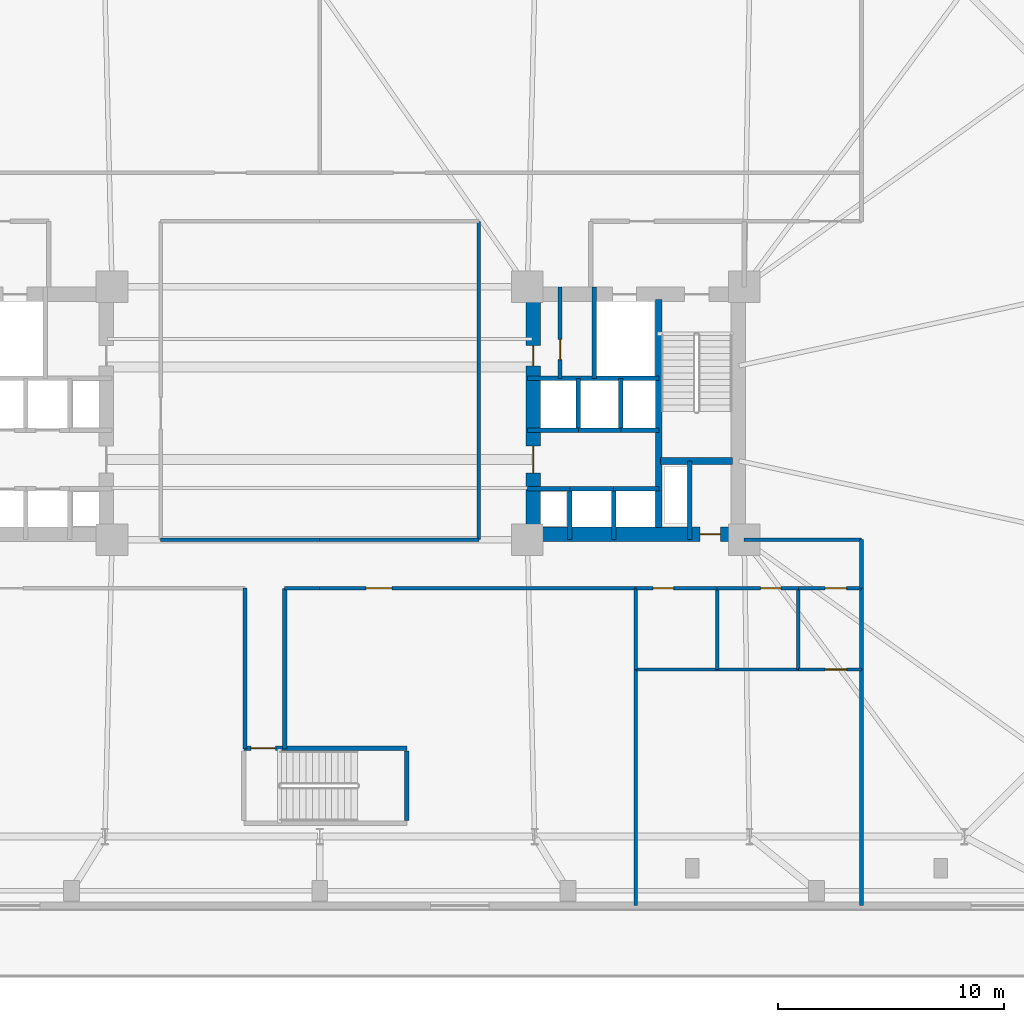
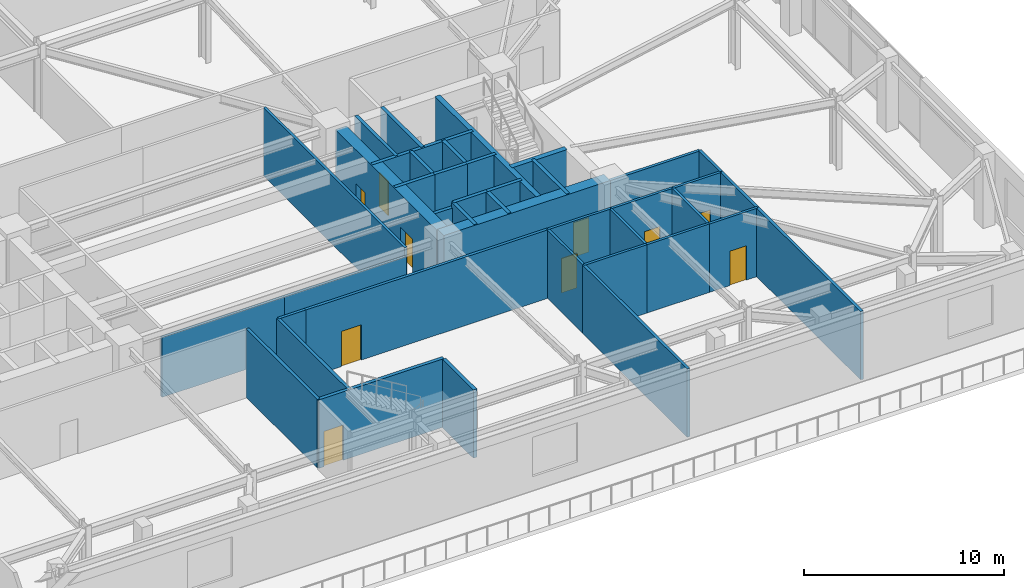
# One storey, part 14 of 21: 41 walls, 10 doors, 10 openings.
"""IFC4 building model written with IfcOpenShell, lengths in metres."""

from ifc_helpers import new_model, si_unit, direction, frame, frame_2d, origin, place, context, subcontext, project, spatial, rectangle, extrude, material, layer, layer_set, type_object, element, fill, save


model = new_model("IFC4")

# Units and contexts
model_context = context("Model", 3, precision=1e-05, world=origin(), true_north=direction((0.0, 1.0)))
body_context = subcontext(model_context, "Body", "Model", "MODEL_VIEW")
ifc_project = project(units=[si_unit("LENGTHUNIT", "METRE"), si_unit("AREAUNIT", "SQUARE_METRE"), si_unit("VOLUMEUNIT", "CUBIC_METRE"), si_unit("PLANEANGLEUNIT", "RADIAN"), si_unit("MASSUNIT", "GRAM", prefix="KILO")], contexts=[model_context])

# Site, building, storey
site_placement = place(None, origin())
site = spatial("IfcSite", under=ifc_project, at=site_placement, CompositionType="ELEMENT")
building_placement = place(site_placement, origin())
building = spatial("IfcBuilding", under=site, at=building_placement, Name="Qobustan Lattice House", CompositionType="ELEMENT")
storey_placement = place(building_placement, frame((0.0, 0.0, 13.5)))
storey = spatial("IfcBuildingStorey", under=building, at=storey_placement, Name="L03", CompositionType="ELEMENT", Elevation=13.5)

# Wall, opening, door
ifc_material_1 = material(Name="Concrete C60/75", Category="concrete")
ifc_layer_1 = layer(ifc_material_1, 0.639892578125)
ifc_layer_set_1 = layer_set([ifc_layer_1], Name="Concrete C60/75")
wall_type_1 = type_object("IfcWallType", Name="WAL-CORE-640", PredefinedType="SHEAR", material=ifc_layer_set_1)
wall_1_placement = place(storey_placement, frame((9.199951171875, -5.35009765625, 0.0), z_axis=(0.0, 0.0, 1.0), x_axis=(1.0, 0.0, 0.0)))
wall_1 = element("IfcWall", 1, at=wall_1_placement, inside=storey, type_object=wall_type_1, Name="L03 split-core shear wall CE-S", PredefinedType="SHEAR", context=body_context, shape_type="SweptSolid", body=[
    extrude(rectangle(XDim=9.60009765625, YDim=0.639892578125, at=frame_2d((4.800048828125, 0.0))), origin(), (0.0, 0.0, 1.0), 4.169921875),
])
opening_1_placement = place(wall_1_placement, frame((7.64990234375, 0.0, 0.0)))
opening_1 = element("IfcOpeningElement", 2, at=opening_1_placement, cuts=wall_1, Name="Opening RD-01", PredefinedType="OPENING", context=body_context, shape_type="SweptSolid", body=[
    extrude(rectangle(XDim=0.89990234375, YDim=2.10009765625, at=frame_2d((0.449951171875, 1.050048828125))), frame((0.0, 0.329833984375, 0.0), z_axis=(0.0, -1.0, 0.0), x_axis=(1.0, 0.0, 0.0)), (0.0, 0.0, 1.0), 0.659912109375),
])
ifc_material_2 = material(Name="Persian walnut timber and steel frame door", Category="steel")
door_type_1 = type_object("IfcDoorType", Name="DOR-RISER-FD-900x2100", OperationType="NOTDEFINED", PredefinedType="DOOR", material=ifc_material_2)
door_1_placement = place(opening_1_placement, origin())
door_1 = element("IfcDoor", 3, at=door_1_placement, inside=storey, type_object=door_type_1, Name="L03 core service riser access door E", OperationType="SINGLE_SWING_LEFT", OverallHeight=2.10009765625, OverallWidth=0.89990234375, PredefinedType="DOOR", context=body_context, shape_type="SweptSolid", body=[
    extrude(rectangle(XDim=0.89990234375, YDim=2.10009765625, at=frame_2d((0.449951171875, 1.050048828125))), frame((0.0, 0.02490234375, 0.0), z_axis=(0.0, -1.0, 0.0), x_axis=(1.0, 0.0, 0.0)), (0.0, 0.0, 1.0), 0.050048828125),
])
fill(opening_1, door_1)

# Wall, openings, doors
wall_2_placement = place(storey_placement, frame((9.449951171875, -5.050048828125, 0.0), z_axis=(0.0, 0.0, 1.0), x_axis=(0.0, 1.0, 0.0)))
wall_2 = element("IfcWall", 4, at=wall_2_placement, inside=storey, type_object=wall_type_1, Name="L03 split-core shear wall CE-W", PredefinedType="SHEAR", context=body_context, shape_type="SweptSolid", body=[
    extrude(rectangle(XDim=10.10009765625, YDim=0.639892578125, at=frame_2d((5.050048828125, 0.0))), origin(), (0.0, 0.0, 1.0), 4.169921875),
])
opening_2_placement = place(wall_2_placement, frame((7.14990234375, 0.0, 0.0)))
opening_2 = element("IfcOpeningElement", 5, at=opening_2_placement, cuts=wall_2, Name="Opening RD-01", PredefinedType="OPENING", context=body_context, shape_type="SweptSolid", body=[
    extrude(rectangle(XDim=0.89990234375, YDim=2.10009765625, at=frame_2d((0.449951171875, 1.050048828125))), frame((0.0, 0.329833984375, 0.0), z_axis=(0.0, -1.0, 0.0), x_axis=(1.0, 0.0, 0.0)), (0.0, 0.0, 1.0), 0.659912109375),
])
opening_3_placement = place(wall_2_placement, frame((2.39990234375, 0.0, 0.0)))
opening_3 = element("IfcOpeningElement", 6, at=opening_3_placement, cuts=wall_2, Name="Opening FD-01", PredefinedType="OPENING", context=body_context, shape_type="SweptSolid", body=[
    extrude(rectangle(XDim=1.199951171875, YDim=2.14990234375, at=frame_2d((0.60009765625, 1.074951171875))), frame((0.0, 0.329833984375, 0.0), z_axis=(0.0, -1.0, 0.0), x_axis=(1.0, 0.0, 0.0)), (0.0, 0.0, 1.0), 0.659912109375),
])
ifc_material_3 = material(Name="Persian walnut timber and steel frame door", Category="steel")
door_type_2 = type_object("IfcDoorType", Name="DOR-LOBBY-FD-1200x2150", OperationType="NOTDEFINED", PredefinedType="DOOR", material=ifc_material_3)
door_2_placement = place(opening_3_placement, origin())
door_2 = element("IfcDoor", 7, at=door_2_placement, inside=storey, type_object=door_type_2, Name="L03 East passenger lift lobby fire door", OperationType="SINGLE_SWING_LEFT", OverallHeight=2.14990234375, OverallWidth=1.199951171875, PredefinedType="DOOR", context=body_context, shape_type="SweptSolid", body=[
    extrude(rectangle(XDim=1.199951171875, YDim=2.14990234375, at=frame_2d((0.60009765625, 1.074951171875))), frame((0.0, 0.02490234375, 0.0), z_axis=(0.0, -1.0, 0.0), x_axis=(1.0, 0.0, 0.0)), (0.0, 0.0, 1.0), 0.050048828125),
])
fill(opening_3, door_2)
door_3_placement = place(opening_2_placement, origin())
door_3 = element("IfcDoor", 8, at=door_3_placement, inside=storey, type_object=door_type_1, Name="L03 Print and mail closet fire door", OperationType="SINGLE_SWING_RIGHT", OverallHeight=2.10009765625, OverallWidth=0.89990234375, PredefinedType="DOOR", context=body_context, shape_type="SweptSolid", body=[
    extrude(rectangle(XDim=0.89990234375, YDim=2.10009765625, at=frame_2d((0.449951171875, 1.050048828125))), frame((0.0, 0.02490234375, 0.0), z_axis=(0.0, -1.0, 0.0), x_axis=(1.0, 0.0, 0.0)), (0.0, 0.0, 1.0), 0.050048828125),
])
fill(opening_2, door_3)

# Walls
ifc_material_4 = material(Name="Concrete C50/60", Category="concrete")
ifc_layer_2 = layer(ifc_material_4, 0.280029296875)
ifc_layer_set_2 = layer_set([ifc_layer_2], Name="Concrete C50/60")
wall_type_2 = type_object("IfcWallType", Name="WAL-CORE-SPINE-280", PredefinedType="SHEAR", material=ifc_layer_set_2)
wall_3_placement = place(storey_placement, frame((15.02001953125, -5.050048828125, 0.0), z_axis=(0.0, 0.0, 1.0), x_axis=(0.0, 1.0, 0.0)))
element("IfcWall", 9, at=wall_3_placement, inside=storey, type_object=wall_type_2, Name="L03 split-core shear wall CE-M", PredefinedType="SHEAR", context=body_context, shape_type="SweptSolid", body=[
    extrude(rectangle(XDim=10.10009765625, YDim=0.300048828125, at=frame_2d((5.050048828125, 0.0))), origin(), (0.0, 0.0, 1.0), 4.169921875),
])
wall_4_placement = place(storey_placement, frame((15.10009765625, -2.110107421875, 0.0), z_axis=(0.0, 0.0, 1.0), x_axis=(1.0, 0.0, 0.0)))
element("IfcWall", 10, at=wall_4_placement, inside=storey, type_object=wall_type_2, Name="L03 split-core shear wall CE-ST", PredefinedType="SHEAR", context=body_context, shape_type="SweptSolid", body=[
    extrude(rectangle(XDim=3.179931640625, YDim=0.300048828125, at=frame_2d((1.58984375, 0.0))), origin(), (0.0, 0.0, 1.0), 4.169921875),
])

# Wall, opening, door
ifc_material_5 = material(Name="Gypsum fireboard acoustic partition", Category="gypsum")
ifc_layer_3 = layer(ifc_material_5, 0.179931640625)
ifc_layer_set_3 = layer_set([ifc_layer_3], Name="Gypsum fireboard acoustic partition")
wall_type_3 = type_object("IfcWallType", Name="WAL-FIRE-180", PredefinedType="PARTITIONING", material=ifc_layer_set_3)
wall_5_placement = place(storey_placement, frame((10.64990234375, 1.550048828125, 0.0), z_axis=(0.0, 0.0, 1.0), x_axis=(0.0, 1.0, 0.0)))
wall_5 = element("IfcWall", 11, at=wall_5_placement, inside=storey, type_object=wall_type_3, Name="L03 interior partition 23", PredefinedType="PARTITIONING", context=body_context, shape_type="SweptSolid", body=[
    extrude(rectangle(XDim=4.050048828125, YDim=0.179931640625, at=frame_2d((2.02490234375, 0.0))), origin(), (0.0, 0.0, 1.0), 4.169921875),
])
opening_4_placement = place(wall_5_placement, frame((0.828857421875, 0.0, 0.0)))
opening_4 = element("IfcOpeningElement", 12, at=opening_4_placement, cuts=wall_5, Name="Opening RD-01", PredefinedType="OPENING", context=body_context, shape_type="SweptSolid", body=[
    extrude(rectangle(XDim=0.89990234375, YDim=2.10009765625, at=frame_2d((0.449951171875, 1.050048828125))), frame((0.0, 0.099853515625, 0.0), z_axis=(0.0, -1.0, 0.0), x_axis=(1.0, 0.0, 0.0)), (0.0, 0.0, 1.0), 0.199951171875),
])
door_4_placement = place(opening_4_placement, origin())
door_4 = element("IfcDoor", 13, at=door_4_placement, inside=storey, type_object=door_type_1, Name="L03 Print and mail closet to Core utility store door", OperationType="SINGLE_SWING_LEFT", OverallHeight=2.10009765625, OverallWidth=0.89990234375, PredefinedType="DOOR", context=body_context, shape_type="SweptSolid", body=[
    extrude(rectangle(XDim=0.89990234375, YDim=2.10009765625, at=frame_2d((0.449951171875, 1.050048828125))), frame((0.0, 0.02490234375, 0.0), z_axis=(0.0, -1.0, 0.0), x_axis=(1.0, 0.0, 0.0)), (0.0, 0.0, 1.0), 0.050048828125),
])
fill(opening_4, door_4)

# Walls
for number, where, z_axis, x_axis, name in (
    (14, (-3.320068359375, -14.860107421875, 0.0), (0.0, 0.0, 1.0), (0.0, 1.0, 0.0), "L03 interior partition 58"),
    (15, (-1.550048828125, -7.75, 0.0), (0.0, 0.0, 1.0), (0.0, -1.0, 0.0), "L03 interior partition 59"),
):
    element("IfcWall", number, at=place(storey_placement, frame(where, z_axis=z_axis, x_axis=x_axis)), inside=storey, type_object=wall_type_3, Name=name, PredefinedType="PARTITIONING", context=body_context, shape_type="SweptSolid", body=[
        extrude(rectangle(XDim=7.110107421875, YDim=0.179931640625, at=frame_2d((3.55517578125, 0.0))), origin(), (0.0, 0.0, 1.0), 4.169921875),
    ])
ifc_material_6 = material(Name="Acoustic twin-stud gypsum partition", Category="gypsum")
ifc_layer_4 = layer(ifc_material_6, 0.14990234375)
ifc_layer_set_4 = layer_set([ifc_layer_4], Name="Acoustic twin-stud gypsum partition")
wall_type_4 = type_object("IfcWallType", Name="WAL-PART-150", PredefinedType="PARTITIONING", material=ifc_layer_set_4)
wall_6_placement = place(storey_placement, frame((-7.050048828125, -5.60009765625, 0.0), z_axis=(0.0, 0.0, 1.0), x_axis=(1.0, 0.0, 0.0)))
element("IfcWall", 16, at=wall_6_placement, inside=storey, type_object=wall_type_4, Name="L03 interior partition 48", PredefinedType="PARTITIONING", context=body_context, shape_type="SweptSolid", body=[
    extrude(rectangle(XDim=7.050048828125, YDim=0.14990234375, at=frame_2d((3.52490234375, 0.0))), origin(), (0.0, 0.0, 1.0), 3.655029296875),
])

# Wall, opening, door
wall_7_placement = place(storey_placement, frame((24.0, -7.75, 0.0), z_axis=(0.0, 0.0, 1.0), x_axis=(-1.0, 0.0, 0.0)))
wall_7 = element("IfcWall", 17, at=wall_7_placement, inside=storey, type_object=wall_type_4, Name="L03 interior partition 52", PredefinedType="PARTITIONING", context=body_context, shape_type="SweptSolid", body=[
    extrude(rectangle(XDim=2.800048828125, YDim=0.14990234375, at=frame_2d((1.39990234375, 0.0))), origin(), (0.0, 0.0, 1.0), 4.169921875),
])
opening_5_placement = place(wall_7_placement, frame((0.666259765625, 0.0, 0.0)))
opening_5 = element("IfcOpeningElement", 18, at=opening_5_placement, cuts=wall_7, Name="Opening ID-01", PredefinedType="OPENING", context=body_context, shape_type="SweptSolid", body=[
    extrude(rectangle(XDim=0.949951171875, YDim=2.10009765625, at=frame_2d((0.47509765625, 1.050048828125))), frame((0.0, 0.0849609375, 0.0), z_axis=(0.0, -1.0, 0.0), x_axis=(1.0, 0.0, 0.0)), (0.0, 0.0, 1.0), 0.169921875),
])
ifc_material_7 = material(Name="Persian walnut timber and steel frame door", Category="steel")
door_type_3 = type_object("IfcDoorType", Name="DOR-ROOM-950x2100", OperationType="NOTDEFINED", PredefinedType="DOOR", material=ifc_material_7)
door_5_placement = place(opening_5_placement, origin())
door_5 = element("IfcDoor", 19, at=door_5_placement, inside=storey, type_object=door_type_3, Name="L03 South-east podium corridor to Janitor supply store door", OperationType="SINGLE_SWING_RIGHT", OverallHeight=2.10009765625, OverallWidth=0.949951171875, PredefinedType="DOOR", context=body_context, shape_type="SweptSolid", body=[
    extrude(rectangle(XDim=0.949951171875, YDim=2.10009765625, at=frame_2d((0.47509765625, 1.050048828125))), frame((0.0, 0.02490234375, 0.0), z_axis=(0.0, -1.0, 0.0), x_axis=(1.0, 0.0, 0.0)), (0.0, 0.0, 1.0), 0.050048828125),
])
fill(opening_5, door_5)

# Walls
wall_8_placement = place(storey_placement, frame((0.0, -5.60009765625, 0.0), z_axis=(0.0, 0.0, 1.0), x_axis=(1.0, 0.0, 0.0)))
element("IfcWall", 20, at=wall_8_placement, inside=storey, type_object=wall_type_4, Name="L03 interior partition 53", PredefinedType="PARTITIONING", context=body_context, shape_type="SweptSolid", body=[
    extrude(rectangle(XDim=7.050048828125, YDim=0.14990234375, at=frame_2d((3.52490234375, 0.0))), origin(), (0.0, 0.0, 1.0), 3.655029296875),
])
wall_9_placement = place(storey_placement, frame((7.050048828125, -5.60009765625, 0.0), z_axis=(0.0, 0.0, 1.0), x_axis=(0.0, 1.0, 0.0)))
element("IfcWall", 21, at=wall_9_placement, inside=storey, type_object=wall_type_4, Name="L03 interior partition 57", PredefinedType="PARTITIONING", context=body_context, shape_type="SweptSolid", body=[
    extrude(rectangle(XDim=14.10009765625, YDim=0.14990234375, at=frame_2d((7.050048828125, 0.0))), origin(), (0.0, 0.0, 1.0), 4.169921875),
])

# Wall, opening, door
wall_10_placement = place(storey_placement, frame((24.0, -11.35009765625, 0.0), z_axis=(0.0, 0.0, 1.0), x_axis=(-1.0, 0.0, 0.0)))
wall_10 = element("IfcWall", 22, at=wall_10_placement, inside=storey, type_object=wall_type_4, Name="L03 interior partition 67", PredefinedType="PARTITIONING", context=body_context, shape_type="SweptSolid", body=[
    extrude(rectangle(XDim=2.800048828125, YDim=0.14990234375, at=frame_2d((1.39990234375, 0.0))), origin(), (0.0, 0.0, 1.0), 4.169921875),
])
opening_6_placement = place(wall_10_placement, frame((0.666259765625, 0.0, 0.0)))
opening_6 = element("IfcOpeningElement", 23, at=opening_6_placement, cuts=wall_10, Name="Opening ID-01", PredefinedType="OPENING", context=body_context, shape_type="SweptSolid", body=[
    extrude(rectangle(XDim=0.949951171875, YDim=2.10009765625, at=frame_2d((0.47509765625, 1.050048828125))), frame((0.0, 0.0849609375, 0.0), z_axis=(0.0, -1.0, 0.0), x_axis=(1.0, 0.0, 0.0)), (0.0, 0.0, 1.0), 0.169921875),
])
door_6_placement = place(opening_6_placement, origin())
door_6 = element("IfcDoor", 24, at=door_6_placement, inside=storey, type_object=door_type_3, Name="L03 Janitor supply store to Equipment and archive store door", OperationType="SINGLE_SWING_RIGHT", OverallHeight=2.10009765625, OverallWidth=0.949951171875, PredefinedType="DOOR", context=body_context, shape_type="SweptSolid", body=[
    extrude(rectangle(XDim=0.949951171875, YDim=2.10009765625, at=frame_2d((0.47509765625, 1.050048828125))), frame((0.0, 0.02490234375, 0.0), z_axis=(0.0, -1.0, 0.0), x_axis=(1.0, 0.0, 0.0)), (0.0, 0.0, 1.0), 0.050048828125),
])
fill(opening_6, door_6)

# Wall
ifc_material_8 = material(Name="High-mass acoustic twin-stud partition", Category="gypsum")
ifc_layer_5 = layer(ifc_material_8, 0.1650390625)
ifc_layer_set_5 = layer_set([ifc_layer_5], Name="High-mass acoustic twin-stud partition")
wall_type_5 = type_object("IfcWallType", Name="WAL-PART-165", PredefinedType="PARTITIONING", material=ifc_layer_set_5)
wall_11_placement = place(storey_placement, frame((0.0, -7.75, 0.0), z_axis=(0.0, 0.0, 1.0), x_axis=(-1.0, 0.0, 0.0)))
element("IfcWall", 25, at=wall_11_placement, inside=storey, type_object=wall_type_5, Name="L03 interior partition 45", PredefinedType="PARTITIONING", context=body_context, shape_type="SweptSolid", body=[
    extrude(rectangle(XDim=1.550048828125, YDim=0.1650390625, at=frame_2d((0.77490234375, 0.0))), origin(), (0.0, 0.0, 1.0), 4.169921875),
])

# Wall, opening, door
wall_12_placement = place(storey_placement, frame((14.0, -7.75, 0.0), z_axis=(0.0, 0.0, 1.0), x_axis=(-1.0, 0.0, 0.0)))
wall_12 = element("IfcWall", 26, at=wall_12_placement, inside=storey, type_object=wall_type_5, Name="L03 interior partition 49", PredefinedType="PARTITIONING", context=body_context, shape_type="SweptSolid", body=[
    extrude(rectangle(XDim=14.0, YDim=0.1650390625, at=frame_2d((7.0, 0.0))), origin(), (0.0, 0.0, 1.0), 4.169921875),
])
opening_7_placement = place(wall_12_placement, frame((10.808837890625, 0.0, 0.0)))
opening_7 = element("IfcOpeningElement", 27, at=opening_7_placement, cuts=wall_12, Name="Opening ID-03", PredefinedType="OPENING", context=body_context, shape_type="SweptSolid", body=[
    extrude(rectangle(XDim=1.14990234375, YDim=2.14990234375, at=frame_2d((0.574951171875, 1.074951171875))), frame((0.0, 0.092529296875, 0.0), z_axis=(0.0, -1.0, 0.0), x_axis=(1.0, 0.0, 0.0)), (0.0, 0.0, 1.0), 0.18505859375),
])
ifc_material_9 = material(Name="Persian walnut timber and steel frame door", Category="steel")
door_type_4 = type_object("IfcDoorType", Name="DOR-KITCH-1150x2150", OperationType="NOTDEFINED", PredefinedType="DOOR", material=ifc_material_9)
door_7_placement = place(opening_7_placement, origin())
door_7 = element("IfcDoor", 28, at=door_7_placement, inside=storey, type_object=door_type_4, Name="L03 South-east podium corridor to Garden cafe servery door", OperationType="SINGLE_SWING_LEFT", OverallHeight=2.14990234375, OverallWidth=1.14990234375, PredefinedType="DOOR", context=body_context, shape_type="SweptSolid", body=[
    extrude(rectangle(XDim=1.14990234375, YDim=2.14990234375, at=frame_2d((0.574951171875, 1.074951171875))), frame((0.0, 0.02490234375, 0.0), z_axis=(0.0, -1.0, 0.0), x_axis=(1.0, 0.0, 0.0)), (0.0, 0.0, 1.0), 0.050048828125),
])
fill(opening_7, door_7)

# Walls
wall_13_placement = place(storey_placement, frame((18.800048828125, -5.60009765625, 0.0), z_axis=(0.0, 0.0, 1.0), x_axis=(1.0, 0.0, 0.0)))
element("IfcWall", 29, at=wall_13_placement, inside=storey, type_object=wall_type_5, Name="L03 interior partition 54", PredefinedType="PARTITIONING", context=body_context, shape_type="SweptSolid", body=[
    extrude(rectangle(XDim=5.199951171875, YDim=0.1650390625, at=frame_2d((2.60009765625, 0.0))), origin(), (0.0, 0.0, 1.0), 4.169921875),
])
wall_14_placement = place(storey_placement, frame((24.0, -5.60009765625, 0.0), z_axis=(0.0, 0.0, 1.0), x_axis=(0.0, -1.0, 0.0)))
element("IfcWall", 30, at=wall_14_placement, inside=storey, type_object=wall_type_5, Name="L03 interior partition 55", PredefinedType="PARTITIONING", context=body_context, shape_type="SweptSolid", body=[
    extrude(rectangle(XDim=2.14990234375, YDim=0.1650390625, at=frame_2d((1.074951171875, 0.0))), origin(), (0.0, 0.0, 1.0), 4.169921875),
])
wall_15_placement = place(storey_placement, frame((14.0, -11.35009765625, 0.0), z_axis=(0.0, 0.0, 1.0), x_axis=(0.0, -1.0, 0.0)))
element("IfcWall", 31, at=wall_15_placement, inside=storey, type_object=wall_type_5, Name="L03 interior partition 62", PredefinedType="PARTITIONING", context=body_context, shape_type="SweptSolid", body=[
    extrude(rectangle(XDim=10.449951171875, YDim=0.1650390625, at=frame_2d((5.22509765625, 0.0))), origin(), (0.0, 0.0, 1.0), 4.169921875),
])
wall_16_placement = place(storey_placement, frame((24.0, -7.75, 0.0), z_axis=(0.0, 0.0, 1.0), x_axis=(0.0, -1.0, 0.0)))
element("IfcWall", 32, at=wall_16_placement, inside=storey, type_object=wall_type_5, Name="L03 interior partition 68", PredefinedType="PARTITIONING", context=body_context, shape_type="SweptSolid", body=[
    extrude(rectangle(XDim=3.60009765625, YDim=0.1650390625, at=frame_2d((1.800048828125, 0.0))), origin(), (0.0, 0.0, 1.0), 4.169921875),
])
wall_17_placement = place(storey_placement, frame((24.0, -11.35009765625, 0.0), z_axis=(0.0, 0.0, 1.0), x_axis=(0.0, -1.0, 0.0)))
element("IfcWall", 33, at=wall_17_placement, inside=storey, type_object=wall_type_5, Name="L03 interior partition 69", PredefinedType="PARTITIONING", context=body_context, shape_type="SweptSolid", body=[
    extrude(rectangle(XDim=10.449951171875, YDim=0.1650390625, at=frame_2d((5.22509765625, 0.0))), origin(), (0.0, 0.0, 1.0), 4.169921875),
])
ifc_material_10 = material(Name="Concrete C40/50", Category="concrete")
ifc_layer_6 = layer(ifc_material_10, 0.199951171875)
ifc_layer_set_6 = layer_set([ifc_layer_6], Name="Concrete C40/50")
wall_type_6 = type_object("IfcWallType", Name="WAL-SHAFT-200", PredefinedType="PARTITIONING", material=ifc_layer_set_6)
wall_18_placement = place(storey_placement, frame((16.39990234375, -2.110107421875, 0.0), z_axis=(0.0, 0.0, 1.0), x_axis=(0.0, -1.0, 0.0)))
element("IfcWall", 34, at=wall_18_placement, inside=storey, type_object=wall_type_6, Name="L03 interior partition 18", PredefinedType="PARTITIONING", context=body_context, shape_type="SweptSolid", body=[
    extrude(rectangle(XDim=3.489990234375, YDim=0.199951171875, at=frame_2d((1.7451171875, 0.0))), origin(), (0.0, 0.0, 1.0), 4.169921875),
])
wall_19_placement = place(storey_placement, frame((12.14990234375, 5.60009765625, 0.0), z_axis=(0.0, 0.0, 1.0), x_axis=(0.0, -1.0, 0.0)))
element("IfcWall", 35, at=wall_19_placement, inside=storey, type_object=wall_type_6, Name="L03 interior partition 19", PredefinedType="PARTITIONING", context=body_context, shape_type="SweptSolid", body=[
    extrude(rectangle(XDim=4.050048828125, YDim=0.199951171875, at=frame_2d((2.02490234375, 0.0))), origin(), (0.0, 0.0, 1.0), 4.169921875),
])
wall_20_placement = place(storey_placement, frame((9.199951171875, -3.35009765625, 0.0), z_axis=(0.0, 0.0, 1.0), x_axis=(1.0, 0.0, 0.0)))
element("IfcWall", 36, at=wall_20_placement, inside=storey, type_object=wall_type_6, Name="L03 interior partition 25", PredefinedType="PARTITIONING", context=body_context, shape_type="SweptSolid", body=[
    extrude(rectangle(XDim=1.880126953125, YDim=0.199951171875, at=frame_2d((0.93994140625, 0.0))), origin(), (0.0, 0.0, 1.0), 3.885009765625),
])
wall_21_placement = place(storey_placement, frame((11.080078125, -3.35009765625, 0.0), z_axis=(0.0, 0.0, 1.0), x_axis=(1.0, 0.0, 0.0)))
element("IfcWall", 37, at=wall_21_placement, inside=storey, type_object=wall_type_6, Name="L03 interior partition 26", PredefinedType="PARTITIONING", context=body_context, shape_type="SweptSolid", body=[
    extrude(rectangle(XDim=1.93994140625, YDim=0.199951171875, at=frame_2d((0.969970703125, 0.0))), origin(), (0.0, 0.0, 1.0), 4.169921875),
])
wall_22_placement = place(storey_placement, frame((13.02001953125, -3.35009765625, 0.0), z_axis=(0.0, 0.0, 1.0), x_axis=(1.0, 0.0, 0.0)))
element("IfcWall", 38, at=wall_22_placement, inside=storey, type_object=wall_type_6, Name="L03 interior partition 27", PredefinedType="PARTITIONING", context=body_context, shape_type="SweptSolid", body=[
    extrude(rectangle(XDim=2.0, YDim=0.199951171875, at=frame_2d((1.0, 0.0))), origin(), (0.0, 0.0, 1.0), 4.169921875),
])
wall_23_placement = place(storey_placement, frame((11.4599609375, -0.75, 0.0), z_axis=(0.0, 0.0, 1.0), x_axis=(-1.0, 0.0, 0.0)))
element("IfcWall", 39, at=wall_23_placement, inside=storey, type_object=wall_type_6, Name="L03 interior partition 28", PredefinedType="PARTITIONING", context=body_context, shape_type="SweptSolid", body=[
    extrude(rectangle(XDim=2.260009765625, YDim=0.199951171875, at=frame_2d((1.1298828125, 0.0))), origin(), (0.0, 0.0, 1.0), 4.169921875),
])
wall_24_placement = place(storey_placement, frame((13.340087890625, -0.75, 0.0), z_axis=(0.0, 0.0, 1.0), x_axis=(-1.0, 0.0, 0.0)))
element("IfcWall", 40, at=wall_24_placement, inside=storey, type_object=wall_type_6, Name="L03 interior partition 29", PredefinedType="PARTITIONING", context=body_context, shape_type="SweptSolid", body=[
    extrude(rectangle(XDim=1.880126953125, YDim=0.199951171875, at=frame_2d((0.93994140625, 0.0))), origin(), (0.0, 0.0, 1.0), 4.169921875),
])
wall_25_placement = place(storey_placement, frame((15.02001953125, -0.75, 0.0), z_axis=(0.0, 0.0, 1.0), x_axis=(-1.0, 0.0, 0.0)))
element("IfcWall", 41, at=wall_25_placement, inside=storey, type_object=wall_type_6, Name="L03 interior partition 30", PredefinedType="PARTITIONING", context=body_context, shape_type="SweptSolid", body=[
    extrude(rectangle(XDim=1.679931640625, YDim=0.199951171875, at=frame_2d((0.83984375, 0.0))), origin(), (0.0, 0.0, 1.0), 4.169921875),
])
for number, where, z_axis, x_axis, name in (
    (42, (11.080078125, -5.60009765625, 0.0), (0.0, 0.0, 1.0), (0.0, 1.0, 0.0), "L03 interior partition 32"),
    (43, (13.02001953125, -5.60009765625, 0.0), (0.0, 0.0, 1.0), (0.0, 1.0, 0.0), "L03 interior partition 33"),
):
    element("IfcWall", number, at=place(storey_placement, frame(where, z_axis=z_axis, x_axis=x_axis)), inside=storey, type_object=wall_type_6, Name=name, PredefinedType="PARTITIONING", context=body_context, shape_type="SweptSolid", body=[
        extrude(rectangle(XDim=2.25, YDim=0.199951171875, at=frame_2d((1.125, 0.0))), origin(), (0.0, 0.0, 1.0), 4.169921875),
    ])
for number, where, z_axis, x_axis, name in (
    (44, (11.4599609375, -0.75, 0.0), (0.0, 0.0, 1.0), (0.0, 1.0, 0.0), "L03 interior partition 34"),
    (45, (13.340087890625, -0.75, 0.0), (0.0, 0.0, 1.0), (0.0, 1.0, 0.0), "L03 interior partition 35"),
):
    element("IfcWall", number, at=place(storey_placement, frame(where, z_axis=z_axis, x_axis=x_axis)), inside=storey, type_object=wall_type_6, Name=name, PredefinedType="PARTITIONING", context=body_context, shape_type="SweptSolid", body=[
        extrude(rectangle(XDim=2.300048828125, YDim=0.199951171875, at=frame_2d((1.14990234375, 0.0))), origin(), (0.0, 0.0, 1.0), 4.169921875),
    ])
wall_26_placement = place(storey_placement, frame((9.199951171875, 1.550048828125, 0.0), z_axis=(0.0, 0.0, 1.0), x_axis=(1.0, 0.0, 0.0)))
element("IfcWall", 46, at=wall_26_placement, inside=storey, type_object=wall_type_6, Name="L03 interior partition 74", PredefinedType="PARTITIONING", context=body_context, shape_type="SweptSolid", body=[
    extrude(rectangle(XDim=5.820068359375, YDim=0.199951171875, at=frame_2d((2.91015625, 0.0))), origin(), (0.0, 0.0, 1.0), 4.169921875),
])

# Wall, opening, door
ifc_material_11 = material(Name="Concrete C40/50", Category="concrete")
ifc_layer_7 = layer(ifc_material_11, 0.199951171875)
ifc_layer_set_7 = layer_set([ifc_layer_7], Name="Concrete C40/50")
wall_type_7 = type_object("IfcWallType", Name="WAL-SHAFT-LB-200", PredefinedType="SHEAR", material=ifc_layer_set_7)
wall_27_placement = place(storey_placement, frame((-3.360107421875, -14.840087890625, 0.0), z_axis=(0.0, 0.0, 1.0), x_axis=(1.0, 0.0, 0.0)))
wall_27 = element("IfcWall", 47, at=wall_27_placement, inside=storey, type_object=wall_type_7, Name="L03 podium stair ST-P1 RC shaft wall STP-N", PredefinedType="SHEAR", context=body_context, shape_type="SweptSolid", body=[
    extrude(rectangle(XDim=7.22021484375, YDim=0.199951171875, at=frame_2d((3.610107421875, 0.0))), origin(), (0.0, 0.0, 1.0), 4.169921875),
])
opening_8_placement = place(wall_27_placement, frame((0.31005859375, 0.0, 0.0)))
opening_8 = element("IfcOpeningElement", 48, at=opening_8_placement, cuts=wall_27, Name="Opening SD-01", PredefinedType="OPENING", context=body_context, shape_type="SweptSolid", body=[
    extrude(rectangle(XDim=1.10009765625, YDim=2.14990234375, at=frame_2d((0.550048828125, 1.074951171875))), frame((0.0, 0.10986328125, 0.0), z_axis=(0.0, -1.0, 0.0), x_axis=(1.0, 0.0, 0.0)), (0.0, 0.0, 1.0), 0.219970703125),
])
ifc_material_12 = material(Name="Persian walnut timber and steel frame door", Category="steel")
door_type_5 = type_object("IfcDoorType", Name="DOR-STAIR-FD-1100x2150", OperationType="NOTDEFINED", PredefinedType="DOOR", material=ifc_material_12)
door_8_placement = place(opening_8_placement, origin())
door_8 = element("IfcDoor", 49, at=door_8_placement, inside=storey, type_object=door_type_5, Name="L03 podium stair ST-P1 fire door", OperationType="SINGLE_SWING_RIGHT", OverallHeight=2.14990234375, OverallWidth=1.10009765625, PredefinedType="DOOR", context=body_context, shape_type="SweptSolid", body=[
    extrude(rectangle(XDim=1.10009765625, YDim=2.14990234375, at=frame_2d((0.550048828125, 1.074951171875))), frame((0.0, 0.02490234375, 0.0), z_axis=(0.0, -1.0, 0.0), x_axis=(1.0, 0.0, 0.0)), (0.0, 0.0, 1.0), 0.050048828125),
])
fill(opening_8, door_8)

# Wall
wall_28_placement = place(storey_placement, frame((3.860107421875, -18.0400390625, 0.0), z_axis=(0.0, 0.0, 1.0), x_axis=(0.0, 1.0, 0.0)))
element("IfcWall", 50, at=wall_28_placement, inside=storey, type_object=wall_type_7, Name="L03 podium stair ST-P1 RC shaft wall STP-E", PredefinedType="SHEAR", context=body_context, shape_type="SweptSolid", body=[
    extrude(rectangle(XDim=3.080078125, YDim=0.199951171875, at=frame_2d((1.5400390625, 0.0))), origin(), (0.0, 0.0, 1.0), 4.169921875),
])

# Wall, opening, door
ifc_material_13 = material(Name="Moisture-resistant acoustic plumbing wall", Category="gypsum")
ifc_layer_8 = layer(ifc_material_13, 0.14990234375)
ifc_layer_set_8 = layer_set([ifc_layer_8], Name="Moisture-resistant acoustic plumbing wall")
wall_type_8 = type_object("IfcWallType", Name="WAL-WET-150", PredefinedType="PLUMBINGWALL", material=ifc_layer_set_8)
wall_29_placement = place(storey_placement, frame((17.60009765625, -7.75, 0.0), z_axis=(0.0, 0.0, 1.0), x_axis=(-1.0, 0.0, 0.0)))
wall_29 = element("IfcWall", 51, at=wall_29_placement, inside=storey, type_object=wall_type_8, Name="L03 interior partition 50", PredefinedType="PLUMBINGWALL", context=body_context, shape_type="SweptSolid", body=[
    extrude(rectangle(XDim=3.60009765625, YDim=0.14990234375, at=frame_2d((1.800048828125, 0.0))), origin(), (0.0, 0.0, 1.0), 4.169921875),
])
opening_9_placement = place(wall_29_placement, frame((1.927490234375, 0.0, 0.0)))
opening_9 = element("IfcOpeningElement", 52, at=opening_9_placement, cuts=wall_29, Name="Opening WD-01", PredefinedType="OPENING", context=body_context, shape_type="SweptSolid", body=[
    extrude(rectangle(XDim=0.89990234375, YDim=2.10009765625, at=frame_2d((0.449951171875, 1.050048828125))), frame((0.0, 0.0849609375, 0.0), z_axis=(0.0, -1.0, 0.0), x_axis=(1.0, 0.0, 0.0)), (0.0, 0.0, 1.0), 0.169921875),
])
ifc_material_14 = material(Name="Persian walnut timber and steel frame door", Category="steel")
door_type_6 = type_object("IfcDoorType", Name="DOR-WET-900x2100", OperationType="NOTDEFINED", PredefinedType="DOOR", material=ifc_material_14)
door_9_placement = place(opening_9_placement, origin())
door_9 = element("IfcDoor", 53, at=door_9_placement, inside=storey, type_object=door_type_6, Name="L03 South-east podium corridor to Public WC door", OperationType="SINGLE_SWING_RIGHT", OverallHeight=2.10009765625, OverallWidth=0.89990234375, PredefinedType="DOOR", context=body_context, shape_type="SweptSolid", body=[
    extrude(rectangle(XDim=0.89990234375, YDim=2.10009765625, at=frame_2d((0.449951171875, 1.050048828125))), frame((0.0, 0.02490234375, 0.0), z_axis=(0.0, -1.0, 0.0), x_axis=(1.0, 0.0, 0.0)), (0.0, 0.0, 1.0), 0.050048828125),
])
fill(opening_9, door_9)

wall_30_placement = place(storey_placement, frame((21.199951171875, -7.75, 0.0), z_axis=(0.0, 0.0, 1.0), x_axis=(-1.0, 0.0, 0.0)))
wall_30 = element("IfcWall", 54, at=wall_30_placement, inside=storey, type_object=wall_type_8, Name="L03 interior partition 51", PredefinedType="PLUMBINGWALL", context=body_context, shape_type="SweptSolid", body=[
    extrude(rectangle(XDim=3.599853515625, YDim=0.14990234375, at=frame_2d((1.7998046875, 0.0))), origin(), (0.0, 0.0, 1.0), 4.169921875),
])
opening_10_placement = place(wall_30_placement, frame((0.7724609375, 0.0, 0.0)))
opening_10 = element("IfcOpeningElement", 55, at=opening_10_placement, cuts=wall_30, Name="Opening WD-01", PredefinedType="OPENING", context=body_context, shape_type="SweptSolid", body=[
    extrude(rectangle(XDim=0.89990234375, YDim=2.10009765625, at=frame_2d((0.449951171875, 1.050048828125))), frame((0.0, 0.0849609375, 0.0), z_axis=(0.0, -1.0, 0.0), x_axis=(1.0, 0.0, 0.0)), (0.0, 0.0, 1.0), 0.169921875),
])
door_10_placement = place(opening_10_placement, origin())
door_10 = element("IfcDoor", 56, at=door_10_placement, inside=storey, type_object=door_type_6, Name="L03 South-east podium corridor to Accessible WC door", OperationType="SINGLE_SWING_LEFT", OverallHeight=2.10009765625, OverallWidth=0.89990234375, PredefinedType="DOOR", context=body_context, shape_type="SweptSolid", body=[
    extrude(rectangle(XDim=0.89990234375, YDim=2.10009765625, at=frame_2d((0.449951171875, 1.050048828125))), frame((0.0, 0.02490234375, 0.0), z_axis=(0.0, -1.0, 0.0), x_axis=(1.0, 0.0, 0.0)), (0.0, 0.0, 1.0), 0.050048828125),
])
fill(opening_10, door_10)

# Walls
for number, where, z_axis, x_axis, name in (
    (57, (14.0, -7.75, 0.0), (0.0, 0.0, 1.0), (0.0, -1.0, 0.0), "L03 interior partition 61"),
    (58, (17.60009765625, -7.75, 0.0), (0.0, 0.0, 1.0), (0.0, -1.0, 0.0), "L03 interior partition 63"),
    (59, (17.60009765625, -11.35009765625, 0.0), (0.0, 0.0, 1.0), (-1.0, 0.0, 0.0), "L03 interior partition 64"),
    (60, (21.199951171875, -7.75, 0.0), (0.0, 0.0, 1.0), (0.0, -1.0, 0.0), "L03 interior partition 65"),
):
    element("IfcWall", number, at=place(storey_placement, frame(where, z_axis=z_axis, x_axis=x_axis)), inside=storey, type_object=wall_type_8, Name=name, PredefinedType="PLUMBINGWALL", context=body_context, shape_type="SweptSolid", body=[
        extrude(rectangle(XDim=3.60009765625, YDim=0.14990234375, at=frame_2d((1.800048828125, 0.0))), origin(), (0.0, 0.0, 1.0), 4.169921875),
    ])
wall_31_placement = place(storey_placement, frame((21.199951171875, -11.35009765625, 0.0), z_axis=(0.0, 0.0, 1.0), x_axis=(-1.0, 0.0, 0.0)))
element("IfcWall", 61, at=wall_31_placement, inside=storey, type_object=wall_type_8, Name="L03 interior partition 66", PredefinedType="PLUMBINGWALL", context=body_context, shape_type="SweptSolid", body=[
    extrude(rectangle(XDim=3.599853515625, YDim=0.14990234375, at=frame_2d((1.7998046875, 0.0))), origin(), (0.0, 0.0, 1.0), 4.169921875),
])

save(model, "model.ifc")
